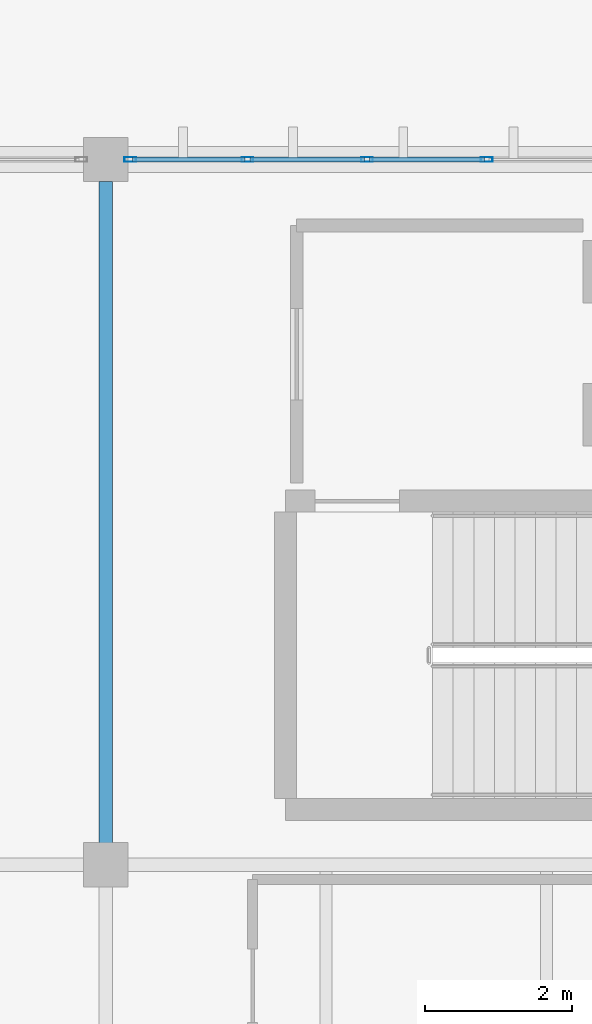
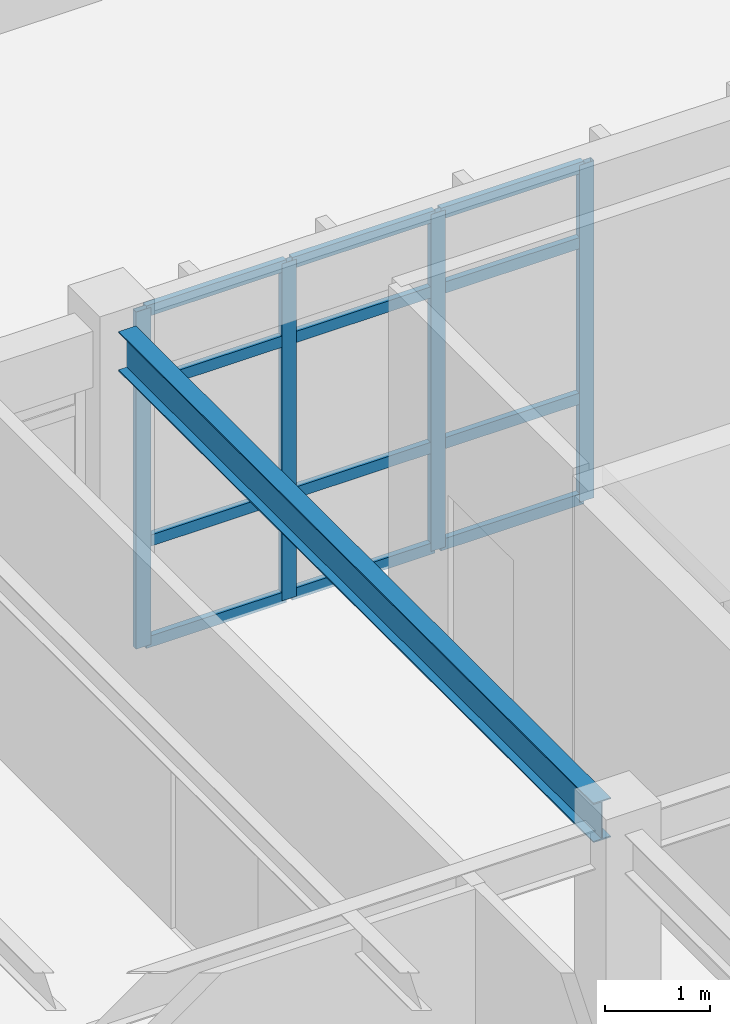
# One storey, part 22 of 37: 16 members, 1 beam, 1 element without a shape of its own.
"""IFC4 building model written with IfcOpenShell, lengths in metres."""

from ifc_helpers import new_model, si_unit, direction, frame, origin, origin_2d, place, context, subcontext, project, spatial, hollow_rectangle, i_section, extrude, material, layer, layer_set, material_profile, profile_set, type_object, element, aggregate, save


model = new_model("IFC4")

# Units and contexts
model_context = context("Model", 3, precision=1e-05, world=origin(), true_north=direction((0.0, 1.0)))
body_context = subcontext(model_context, "Body", "Model", "MODEL_VIEW")
ifc_project = project(units=[si_unit("LENGTHUNIT", "METRE"), si_unit("AREAUNIT", "SQUARE_METRE"), si_unit("VOLUMEUNIT", "CUBIC_METRE"), si_unit("PLANEANGLEUNIT", "RADIAN"), si_unit("MASSUNIT", "GRAM", prefix="KILO")], contexts=[model_context])

# Site, building, storey
site_placement = place(None, origin())
site = spatial("IfcSite", under=ifc_project, at=site_placement, CompositionType="ELEMENT")
building_placement = place(site_placement, origin())
building = spatial("IfcBuilding", under=site, at=building_placement, Name="Pandanus Reach Market Hall", CompositionType="ELEMENT")
storey_placement = place(building_placement, frame((0.0, 0.0, 14.39990234375)))
storey = spatial("IfcBuildingStorey", under=building, at=storey_placement, Name="L03", CompositionType="ELEMENT", Elevation=14.39990234375)

# Beam
ifc_material_1 = material(Name="Steel Grade 350 (350 MPa)", Category="steel")
ifc_material_profile_1 = material_profile(ifc_material_1, i_section(OverallWidth=0.18994140625, OverallDepth=0.45703125, WebThickness=0.009033203125, FlangeThickness=0.014404296875, at=origin_2d()), Name="460UB74.6", Category="LoadBearing")
ifc_profile_set_1 = profile_set([ifc_material_profile_1], Name="Steel Grade 350 (350 MPa)")
beam_type = type_object("IfcBeamType", Name="BM-UB460-I", PredefinedType="BEAM", material=ifc_profile_set_1)
beam_placement = place(storey_placement, frame((168.0, 67.498046875, 3.731201171875), z_axis=(0.0, 1.0, 0.0), x_axis=(-1.0, 0.0, 0.0)))
element("IfcBeam", 1, at=beam_placement, inside=storey, type_object=beam_type, Name="Framing beam BM-UB460-I L03.568", PredefinedType="BEAM", context=body_context, shape_type="SweptSolid", body=[
    extrude(i_section(OverallWidth=0.18994140625, OverallDepth=0.45703125, WebThickness=0.009033203125, FlangeThickness=0.014404296875, at=origin_2d()), origin(), (0.0, 0.0, 1.0), 9.00390625),
])

# Curtain wall, members
ifc_material_2 = material(Name="Bronze anodised aluminium and low-E glass", Category="aluminium")
ifc_layer = layer(ifc_material_2, 0.159912109375, Name="CW-31")
ifc_layer_set = layer_set([ifc_layer], Name="Bronze anodised aluminium and low-E glass")
curtain_wall_type = type_object("IfcCurtainWallType", Name="CW-31", PredefinedType="NOTDEFINED", material=ifc_layer_set)
curtain_wall_placement = place(storey_placement, origin())
curtain_wall = element("IfcCurtainWall", 2, at=curtain_wall_placement, inside=storey, type_object=curtain_wall_type, Name="Glazed curtain wall CW-31 CW-0120", PredefinedType="NOTDEFINED")
ifc_material_3 = material(Name="Bronze anodised aluminium", Category="aluminium")
ifc_material_profile_2 = material_profile(ifc_material_3, hollow_rectangle(XDim=0.06494140625, YDim=0.159912109375, WallThickness=0.00390625, at=origin_2d()), Name="ALU65x160", Category="LoadBearing")
ifc_profile_set_2 = profile_set([ifc_material_profile_2], Name="Bronze anodised aluminium")
member_type_1 = type_object("IfcMemberType", Name="CW-M1", PredefinedType="MULLION", material=ifc_profile_set_2)
member_1_placement = place(storey_placement, frame((168.33251953125, 76.800048828125, 0.0), z_axis=(0.0, 0.0, 1.0), x_axis=(0.0, 1.0, 0.0)))
member_1 = element("IfcMember", 3, at=member_1_placement, type_object=member_type_1, Name="CW-31 mullion 1", PredefinedType="MULLION", context=body_context, shape_type="SweptSolid", body=[
    extrude(hollow_rectangle(XDim=0.06494140625, YDim=0.159912109375, WallThickness=0.00390625, at=origin_2d()), origin(), (0.0, 0.0, 1.0), 3.900146484375),
])
member_2_placement = place(storey_placement, frame((169.928466796875, 76.800048828125, 0.0), z_axis=(0.0, 0.0, 1.0), x_axis=(0.0, 1.0, 0.0)))
member_2 = element("IfcMember", 4, at=member_2_placement, type_object=member_type_1, Name="CW-31 mullion 2", PredefinedType="MULLION", context=body_context, shape_type="SweptSolid", body=[
    extrude(hollow_rectangle(XDim=0.06494140625, YDim=0.159912109375, WallThickness=0.00390625, at=origin_2d()), origin(), (0.0, 0.0, 1.0), 3.900146484375),
])
member_3_placement = place(storey_placement, frame((171.55712890625, 76.800048828125, 0.0), z_axis=(0.0, 0.0, 1.0), x_axis=(0.0, 1.0, 0.0)))
member_3 = element("IfcMember", 5, at=member_3_placement, type_object=member_type_1, Name="CW-31 mullion 3", PredefinedType="MULLION", context=body_context, shape_type="SweptSolid", body=[
    extrude(hollow_rectangle(XDim=0.06494140625, YDim=0.159912109375, WallThickness=0.00390625, at=origin_2d()), origin(), (0.0, 0.0, 1.0), 3.900146484375),
])
member_4_placement = place(storey_placement, frame((173.185791015625, 76.800048828125, 0.0), z_axis=(0.0, 0.0, 1.0), x_axis=(0.0, 1.0, 0.0)))
member_4 = element("IfcMember", 6, at=member_4_placement, type_object=member_type_1, Name="CW-31 mullion 4", PredefinedType="MULLION", context=body_context, shape_type="SweptSolid", body=[
    extrude(hollow_rectangle(XDim=0.06494140625, YDim=0.159912109375, WallThickness=0.00390625, at=origin_2d()), origin(), (0.0, 0.0, 1.0), 3.900146484375),
])
ifc_material_profile_3 = material_profile(ifc_material_3, hollow_rectangle(XDim=0.06494140625, YDim=0.1298828125, WallThickness=0.00390625, at=origin_2d()), Name="ALU65x130", Category="LoadBearing")
ifc_profile_set_3 = profile_set([ifc_material_profile_3], Name="Bronze anodised aluminium")
member_type_2 = type_object("IfcMemberType", Name="CW-T1", PredefinedType="USERDEFINED", material=ifc_profile_set_3)
member_5_placement = place(storey_placement, frame((168.364990234375, 76.800048828125, 0.03271484375), z_axis=(1.0, 0.0, 0.0), x_axis=(0.0, 1.0, 0.0)))
member_5 = element("IfcMember", 7, at=member_5_placement, type_object=member_type_2, Name="CW-31 transom 1.1", ObjectType="TRANSOM", PredefinedType="USERDEFINED", context=body_context, shape_type="SweptSolid", body=[
    extrude(hollow_rectangle(XDim=0.06494140625, YDim=0.1298828125, WallThickness=0.00390625, at=origin_2d()), origin(), (0.0, 0.0, 1.0), 1.531005859375),
])
member_6_placement = place(storey_placement, frame((168.364990234375, 76.800048828125, 1.2001953125), z_axis=(1.0, 0.0, 0.0), x_axis=(0.0, 1.0, 0.0)))
member_6 = element("IfcMember", 8, at=member_6_placement, type_object=member_type_2, Name="CW-31 transom 1.2", ObjectType="TRANSOM", PredefinedType="USERDEFINED", context=body_context, shape_type="SweptSolid", body=[
    extrude(hollow_rectangle(XDim=0.06494140625, YDim=0.1298828125, WallThickness=0.00390625, at=origin_2d()), origin(), (0.0, 0.0, 1.0), 1.531005859375),
])
member_7_placement = place(storey_placement, frame((168.364990234375, 76.800048828125, 3.0), z_axis=(1.0, 0.0, 0.0), x_axis=(0.0, 1.0, 0.0)))
member_7 = element("IfcMember", 9, at=member_7_placement, type_object=member_type_2, Name="CW-31 transom 1.3", ObjectType="TRANSOM", PredefinedType="USERDEFINED", context=body_context, shape_type="SweptSolid", body=[
    extrude(hollow_rectangle(XDim=0.06494140625, YDim=0.1298828125, WallThickness=0.00390625, at=origin_2d()), origin(), (0.0, 0.0, 1.0), 1.531005859375),
])
member_8_placement = place(storey_placement, frame((168.364990234375, 76.800048828125, 3.86767578125), z_axis=(1.0, 0.0, 0.0), x_axis=(0.0, 1.0, 0.0)))
member_8 = element("IfcMember", 10, at=member_8_placement, type_object=member_type_2, Name="CW-31 transom 1.4", ObjectType="TRANSOM", PredefinedType="USERDEFINED", context=body_context, shape_type="SweptSolid", body=[
    extrude(hollow_rectangle(XDim=0.06494140625, YDim=0.1298828125, WallThickness=0.00390625, at=origin_2d()), origin(), (0.0, 0.0, 1.0), 1.531005859375),
])
member_9_placement = place(storey_placement, frame((169.961181640625, 76.800048828125, 0.03271484375), z_axis=(1.0, 0.0, 0.0), x_axis=(0.0, 1.0, 0.0)))
member_9 = element("IfcMember", 11, at=member_9_placement, type_object=member_type_2, Name="CW-31 transom 2.1", ObjectType="TRANSOM", PredefinedType="USERDEFINED", context=body_context, shape_type="SweptSolid", body=[
    extrude(hollow_rectangle(XDim=0.06494140625, YDim=0.1298828125, WallThickness=0.00390625, at=origin_2d()), origin(), (0.0, 0.0, 1.0), 1.5634765625),
])
member_10_placement = place(storey_placement, frame((169.961181640625, 76.800048828125, 1.2001953125), z_axis=(1.0, 0.0, 0.0), x_axis=(0.0, 1.0, 0.0)))
member_10 = element("IfcMember", 12, at=member_10_placement, type_object=member_type_2, Name="CW-31 transom 2.2", ObjectType="TRANSOM", PredefinedType="USERDEFINED", context=body_context, shape_type="SweptSolid", body=[
    extrude(hollow_rectangle(XDim=0.06494140625, YDim=0.1298828125, WallThickness=0.00390625, at=origin_2d()), origin(), (0.0, 0.0, 1.0), 1.5634765625),
])
member_11_placement = place(storey_placement, frame((169.961181640625, 76.800048828125, 3.0), z_axis=(1.0, 0.0, 0.0), x_axis=(0.0, 1.0, 0.0)))
member_11 = element("IfcMember", 13, at=member_11_placement, type_object=member_type_2, Name="CW-31 transom 2.3", ObjectType="TRANSOM", PredefinedType="USERDEFINED", context=body_context, shape_type="SweptSolid", body=[
    extrude(hollow_rectangle(XDim=0.06494140625, YDim=0.1298828125, WallThickness=0.00390625, at=origin_2d()), origin(), (0.0, 0.0, 1.0), 1.5634765625),
])
member_12_placement = place(storey_placement, frame((169.961181640625, 76.800048828125, 3.86767578125), z_axis=(1.0, 0.0, 0.0), x_axis=(0.0, 1.0, 0.0)))
member_12 = element("IfcMember", 14, at=member_12_placement, type_object=member_type_2, Name="CW-31 transom 2.4", ObjectType="TRANSOM", PredefinedType="USERDEFINED", context=body_context, shape_type="SweptSolid", body=[
    extrude(hollow_rectangle(XDim=0.06494140625, YDim=0.1298828125, WallThickness=0.00390625, at=origin_2d()), origin(), (0.0, 0.0, 1.0), 1.5634765625),
])
member_13_placement = place(storey_placement, frame((171.589599609375, 76.800048828125, 0.03271484375), z_axis=(1.0, 0.0, 0.0), x_axis=(0.0, 1.0, 0.0)))
member_13 = element("IfcMember", 15, at=member_13_placement, type_object=member_type_2, Name="CW-31 transom 3.1", ObjectType="TRANSOM", PredefinedType="USERDEFINED", context=body_context, shape_type="SweptSolid", body=[
    extrude(hollow_rectangle(XDim=0.06494140625, YDim=0.1298828125, WallThickness=0.00390625, at=origin_2d()), origin(), (0.0, 0.0, 1.0), 1.563720703125),
])
member_14_placement = place(storey_placement, frame((171.589599609375, 76.800048828125, 1.2001953125), z_axis=(1.0, 0.0, 0.0), x_axis=(0.0, 1.0, 0.0)))
member_14 = element("IfcMember", 16, at=member_14_placement, type_object=member_type_2, Name="CW-31 transom 3.2", ObjectType="TRANSOM", PredefinedType="USERDEFINED", context=body_context, shape_type="SweptSolid", body=[
    extrude(hollow_rectangle(XDim=0.06494140625, YDim=0.1298828125, WallThickness=0.00390625, at=origin_2d()), origin(), (0.0, 0.0, 1.0), 1.563720703125),
])
member_15_placement = place(storey_placement, frame((171.589599609375, 76.800048828125, 3.0), z_axis=(1.0, 0.0, 0.0), x_axis=(0.0, 1.0, 0.0)))
member_15 = element("IfcMember", 17, at=member_15_placement, type_object=member_type_2, Name="CW-31 transom 3.3", ObjectType="TRANSOM", PredefinedType="USERDEFINED", context=body_context, shape_type="SweptSolid", body=[
    extrude(hollow_rectangle(XDim=0.06494140625, YDim=0.1298828125, WallThickness=0.00390625, at=origin_2d()), origin(), (0.0, 0.0, 1.0), 1.563720703125),
])
member_16_placement = place(storey_placement, frame((171.589599609375, 76.800048828125, 3.86767578125), z_axis=(1.0, 0.0, 0.0), x_axis=(0.0, 1.0, 0.0)))
member_16 = element("IfcMember", 18, at=member_16_placement, type_object=member_type_2, Name="CW-31 transom 3.4", ObjectType="TRANSOM", PredefinedType="USERDEFINED", context=body_context, shape_type="SweptSolid", body=[
    extrude(hollow_rectangle(XDim=0.06494140625, YDim=0.1298828125, WallThickness=0.00390625, at=origin_2d()), origin(), (0.0, 0.0, 1.0), 1.563720703125),
])
aggregate(curtain_wall, [member_1, member_2, member_3, member_4, member_5, member_6, member_7, member_8, member_9, member_10, member_11, member_12, member_13, member_14, member_15, member_16])

save(model, "model.ifc")
